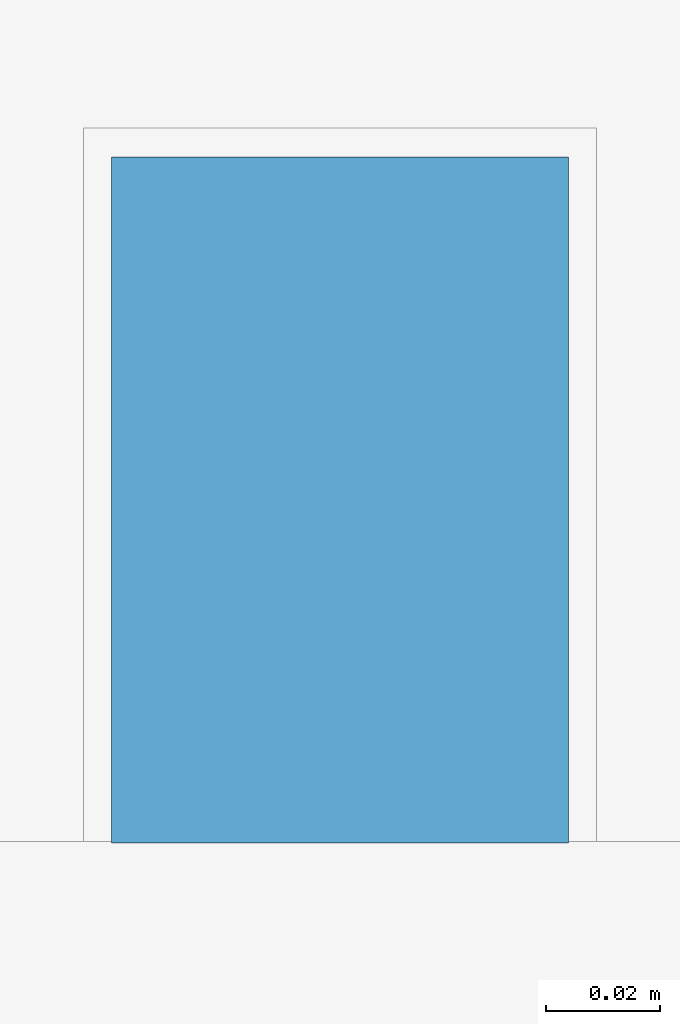
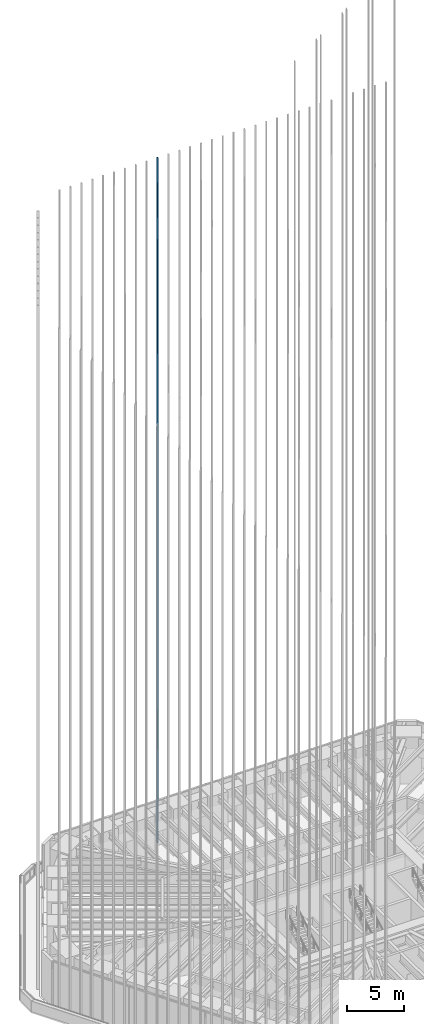
# One storey, part 166 of 228: 1 member, 1 element without a shape of its own.
"""IFC4 building model written with IfcOpenShell, lengths in metres."""

from ifc_helpers import new_model, si_unit, direction, frame, origin, origin_2d, place, context, subcontext, project, spatial, rectangle, extrude, material, material_profile, profile_set, type_object, element, aggregate, save


model = new_model("IFC4")

# Units and contexts
model_context = context("Model", 3, precision=1e-05, world=origin(), true_north=direction((0.0, 1.0)))
body_context = subcontext(model_context, "Body", "Model", "MODEL_VIEW")
ifc_project = project(units=[si_unit("LENGTHUNIT", "METRE"), si_unit("AREAUNIT", "SQUARE_METRE"), si_unit("VOLUMEUNIT", "CUBIC_METRE"), si_unit("PLANEANGLEUNIT", "RADIAN"), si_unit("MASSUNIT", "GRAM", prefix="KILO")], contexts=[model_context])

# Site, building, storey
site_placement = place(None, origin())
site = spatial("IfcSite", under=ifc_project, at=site_placement, CompositionType="ELEMENT")
building_placement = place(site_placement, origin())
building = spatial("IfcBuilding", under=site, at=building_placement, Name="Sandreach Pilgrim Tower", CompositionType="ELEMENT")
storey_placement = place(building_placement, frame((0.0, 0.0, 178.199951171875)))
storey = spatial("IfcBuildingStorey", under=building, at=storey_placement, Name="L44", CompositionType="ELEMENT", Elevation=178.199951171875)

# Curtain wall, member
ifc_material_1 = material(Name="Aluminium framed curtain wall", Category="aluminium")
curtain_wall_type = type_object("IfcCurtainWallType", Name="Upper hotel tower curtain wall", PredefinedType="NOTDEFINED", material=ifc_material_1)
curtain_wall_placement = place(storey_placement, origin())
curtain_wall = element("IfcCurtainWall", 1, at=curtain_wall_placement, inside=storey, type_object=curtain_wall_type, Name="CW-3 L44 N", PredefinedType="NOTDEFINED")
ifc_material_2 = material(Name="Extruded terracotta on aluminium core", Category="masonry")
ifc_material_profile = material_profile(ifc_material_2, rectangle(XDim=0.080078125, YDim=0.1201171875, at=origin_2d()), Name="TBN 80X120")
ifc_profile_set = profile_set([ifc_material_profile], Name="Extruded terracotta on aluminium core")
member_type = type_object("IfcMemberType", Name="Terracotta baguette north", PredefinedType="USERDEFINED", material=ifc_profile_set)
member_placement = place(storey_placement, frame((-6.59912109375, 21.52001953125, 0.0), z_axis=(0.0, 0.0, 1.0), x_axis=(1.0, 0.0, 0.0)))
member = element("IfcMember", 2, at=member_placement, type_object=member_type, Name="Baguette Z3 N10", ObjectType="BAGUETTE", PredefinedType="USERDEFINED", context=body_context, shape_type="SweptSolid", body=[
    extrude(rectangle(XDim=0.080078125, YDim=0.1201171875, at=origin_2d()), origin(), (0.0, 0.0, 1.0), 73.239990234375),
])
aggregate(curtain_wall, [member])

save(model, "model.ifc")
